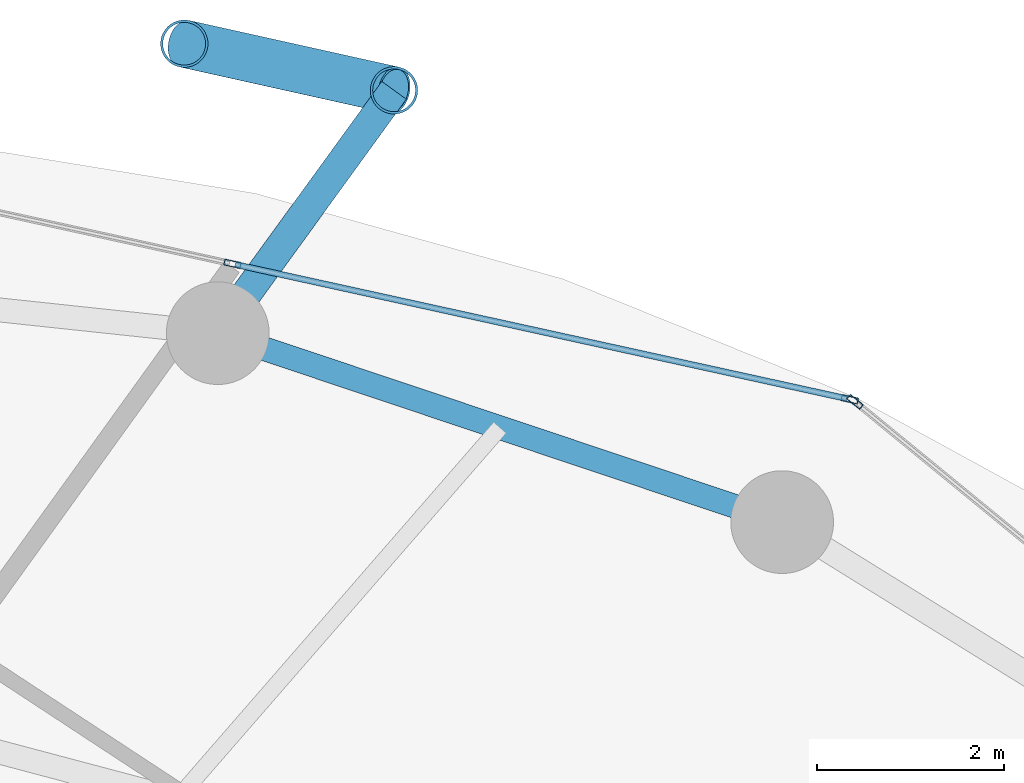
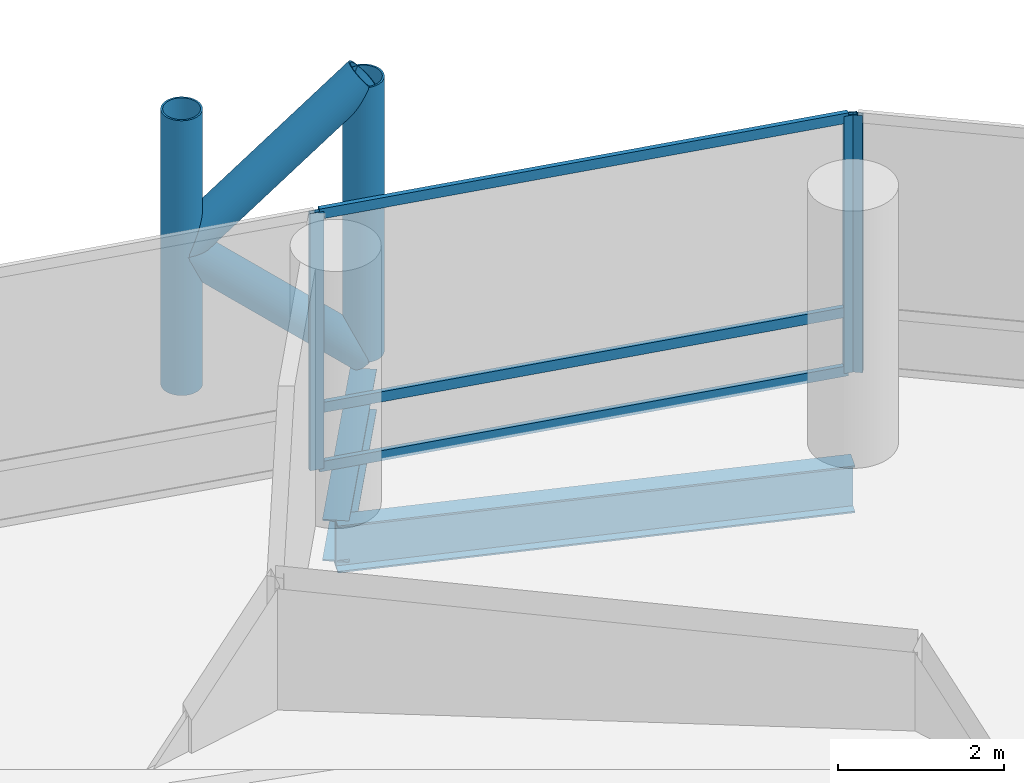
# One storey, part 18 of 24: 10 members, 2 beams, 2 elements without a shape of their own.
"""IFC4 building model written with IfcOpenShell, lengths in metres."""

import ifcopenshell
import ifcopenshell.guid

model = None  # the IFC model being written
_history = None  # IfcOwnerHistory: only IFC2X3 demands one
_inside = {}  # id of a spatial element -> (the spatial element, [elements in it])
_under = {}  # id of a project, library or spatial element -> (it, [spatial elements below it])
_declared = {}  # id of a project -> (the project, [libraries it declares])
_typed = {}  # id of a type object -> (the type object, [elements of that type])
_made_of = {}  # id of a material, layer set ... -> (it, [elements and type objects made of it])


def new_model(schema):
    """Start an empty IFC model of exactly this schema.

    Asked for "IFC4X3", IfcOpenShell would pick the latest addendum, in which some entities
    have other attributes; the version numbers below select the first issue.
    IFC2X3 requires an IfcOwnerHistory on every rooted entity: one is made here for all.
    """
    global model, _history
    if schema == "IFC4X3":
        model = ifcopenshell.file(schema_version=(4, 3, 0, 0))
    else:
        model = ifcopenshell.file(schema=schema)
    _inside.clear()
    _under.clear()
    _declared.clear()
    _typed.clear()
    _made_of.clear()
    _history = None
    if model.schema == "IFC2X3":
        org = make("IfcOrganization", Name="unknown")
        user = make(
            "IfcPersonAndOrganization",
            ThePerson=make("IfcPerson", FamilyName="unknown"),
            TheOrganization=org,
        )
        app = make(
            "IfcApplication",
            ApplicationDeveloper=org,
            Version="unknown",
            ApplicationFullName="unknown",
            ApplicationIdentifier="unknown",
        )
        _history = make(
            "IfcOwnerHistory",
            OwningUser=user,
            OwningApplication=app,
            ChangeAction="ADDED",
            CreationDate=0,
        )
    return model


def make(cls, **values):
    """One entity of the class cls with the attributes given. An attribute that is None is left unset."""
    return model.create_entity(
        cls, **{name: value for name, value in values.items() if value is not None}
    )


def rooted(cls, **values):
    """An entity with a GlobalId (a new one), such as an element, a storey or a relation."""
    return make(cls, GlobalId=ifcopenshell.guid.new(), OwnerHistory=_history, **values)


def si_unit(unit_type, name, prefix=None):
    """IfcSIUnit, for example si_unit("LENGTHUNIT", "METRE", prefix="MILLI")."""
    return make("IfcSIUnit", UnitType=unit_type, Prefix=prefix, Name=name)


def assignment(units):
    """IfcUnitAssignment: the units of a project."""
    return None if units is None else make("IfcUnitAssignment", Units=units)


def point(xyz):
    """IfcCartesianPoint."""
    return None if xyz is None else make("IfcCartesianPoint", Coordinates=xyz)


def direction(xyz):
    """IfcDirection."""
    return None if xyz is None else make("IfcDirection", DirectionRatios=xyz)


def frame(location, z_axis=None, x_axis=None):
    """IfcAxis2Placement3D, a coordinate frame: its origin and axes. An axis left out is left unset."""
    return make(
        "IfcAxis2Placement3D",
        Location=point(location),
        Axis=direction(z_axis),
        RefDirection=direction(x_axis),
    )


def frame_2d(location, x_axis=None):
    """IfcAxis2Placement2D, a coordinate frame in the plane: its origin and x axis."""
    return make(
        "IfcAxis2Placement2D", Location=point(location), RefDirection=direction(x_axis)
    )


def origin():
    """The frame at (0, 0, 0) with its axes left unset."""
    return frame((0.0, 0.0, 0.0))


def origin_2d():
    """The frame at (0, 0) in the plane with its x axis left unset."""
    return frame_2d((0.0, 0.0))


def place(relative_to, where):
    """IfcLocalPlacement: puts the frame where relative to a parent placement (None: the world)."""
    return make(
        "IfcLocalPlacement", PlacementRelTo=relative_to, RelativePlacement=where
    )


def context(
    kind, dimensions, precision=None, world=None, true_north=None, identifier=None
):
    """IfcGeometricRepresentationContext, for example the 3D "Model" context."""
    return make(
        "IfcGeometricRepresentationContext",
        ContextIdentifier=identifier,
        ContextType=kind,
        CoordinateSpaceDimension=dimensions,
        Precision=precision,
        WorldCoordinateSystem=world,
        TrueNorth=true_north,
    )


def subcontext(parent, identifier, kind, view, scale=None):
    """IfcGeometricRepresentationSubContext, for example "Body" below "Model"."""
    return make(
        "IfcGeometricRepresentationSubContext",
        ContextIdentifier=identifier,
        ContextType=kind,
        ParentContext=parent,
        TargetScale=scale,
        TargetView=view,
    )


def project(units=None, contexts=None):
    """IfcProject with its units and contexts."""
    return rooted(
        "IfcProject",
        Name="project",
        RepresentationContexts=contexts,
        UnitsInContext=assignment(units),
    )


def spatial(cls, under=None, at=None, **own):
    """A site, building, storey or space (cls), placed at a placement, below another one or the project."""
    s = rooted(cls, ObjectPlacement=at, **own)
    if under is not None:
        _under.setdefault(under.id(), (under, []))[1].append(s)
    return s


def profile(cls, at=None, kind="AREA", **sizes):
    """A parametric profile (cls). Its sizes go by their IFC names, for example OverallWidth=200.0."""
    return make(cls, ProfileType=kind, Position=at, **sizes)


def hollow_rectangle(**sizes):
    """IfcRectangleHollowProfileDef."""
    return profile("IfcRectangleHollowProfileDef", **sizes)


def hollow_circle(**sizes):
    """IfcCircleHollowProfileDef."""
    return profile("IfcCircleHollowProfileDef", **sizes)


def i_section(**sizes):
    """IfcIShapeProfileDef."""
    return profile("IfcIShapeProfileDef", **sizes)


def extrude(swept, where, along, depth):
    """IfcExtrudedAreaSolid: the profile swept, set in the frame where, extruded along a direction by depth."""
    return make(
        "IfcExtrudedAreaSolid",
        SweptArea=swept,
        Position=where,
        ExtrudedDirection=direction(along),
        Depth=depth,
    )


def shape(context_of_items, identifier, shape_type, items):
    """IfcShapeRepresentation: the items that make up one representation, for example the "Body"."""
    return make(
        "IfcShapeRepresentation",
        ContextOfItems=context_of_items,
        RepresentationIdentifier=identifier,
        RepresentationType=shape_type,
        Items=items,
    )


def material(Name=None, Category=None):
    """IfcMaterial."""
    return make("IfcMaterial", Name=Name, Category=Category)


def layer(
    of_material, thickness, ventilated=None, Name=None, Category=None, Priority=None
):
    """IfcMaterialLayer: one layer of a wall or slab, of a material (None: an air gap)."""
    return make(
        "IfcMaterialLayer",
        Material=of_material,
        LayerThickness=thickness,
        IsVentilated=ventilated,
        Name=Name,
        Category=Category,
        Priority=Priority,
    )


def layer_set(layers, Name=None):
    """IfcMaterialLayerSet."""
    return make("IfcMaterialLayerSet", MaterialLayers=layers, LayerSetName=Name)


def material_profile(
    of_material, cross_section, Name=None, Category=None, Priority=None
):
    """IfcMaterialProfile: a cross section and its material."""
    return make(
        "IfcMaterialProfile",
        Name=Name,
        Material=of_material,
        Profile=cross_section,
        Priority=Priority,
        Category=Category,
    )


def profile_set(profiles, Name=None, composite=None):
    """IfcMaterialProfileSet."""
    return make(
        "IfcMaterialProfileSet",
        Name=Name,
        MaterialProfiles=profiles,
        CompositeProfile=composite,
    )


def made_of(thing, what):
    """Note that an element or type object is made of a material, layer set ...; save() writes the relation."""
    if what is not None:
        _made_of.setdefault(what.id(), (what, []))[1].append(thing)
    return thing


def type_object(cls, material=None, **own):
    """A type object (cls), such as IfcWallType, which elements share."""
    return made_of(rooted(cls, **own), material)


def element(
    cls,
    number,
    at=None,
    inside=None,
    cuts=None,
    type_object=None,
    material=None,
    context=None,
    identifier="Body",
    shape_type=None,
    held_by="IfcProductDefinitionShape",
    body=None,
    shapes=None,
    **own,
):
    """One element of the class cls, such as IfcWall. Its Tag is "e" and its number.

    at: its placement. inside: the storey or other place that contains it. cuts: it is an
    opening in that element (IfcRelVoidsElement). A single representation is given by context,
    identifier, shape_type and body (its items); several are given by shapes. held_by: the class
    of the entity that holds the representations. save() writes the other relations.
    """
    e = rooted(cls, Tag="e%d" % number, ObjectPlacement=at, **own)
    if body is not None:
        shapes = [shape(context, identifier, shape_type, body)]
    if shapes is not None:
        e.Representation = make(held_by, Representations=shapes)
    if inside is not None:
        _inside.setdefault(inside.id(), (inside, []))[1].append(e)
    if cuts is not None:
        rooted(
            "IfcRelVoidsElement", RelatingBuildingElement=cuts, RelatedOpeningElement=e
        )
    if type_object is not None:
        _typed.setdefault(type_object.id(), (type_object, []))[1].append(e)
    return made_of(e, material)


def aggregate(whole, parts):
    """IfcRelAggregates: a whole, such as a stair, and the parts it consists of."""
    return rooted("IfcRelAggregates", RelatingObject=whole, RelatedObjects=parts)


def save(model, path):
    """Write the relations noted so far, then the file.

    IfcRelAggregates (storeys below a building ...), IfcRelContainedInSpatialStructure (elements
    in a storey), IfcRelDefinesByType, IfcRelAssociatesMaterial and IfcRelDeclares: one each for
    every whole, place, type object, material and project.
    """
    for whole, parts in _under.values():
        aggregate(whole, parts)
    for where, things in _inside.values():
        rooted(
            "IfcRelContainedInSpatialStructure",
            RelatedElements=things,
            RelatingStructure=where,
        )
    for kind, things in _typed.values():
        rooted("IfcRelDefinesByType", RelatedObjects=things, RelatingType=kind)
    for what, things in _made_of.values():
        rooted("IfcRelAssociatesMaterial", RelatedObjects=things, RelatingMaterial=what)
    for by, libraries in _declared.values():
        rooted("IfcRelDeclares", RelatingContext=by, RelatedDefinitions=libraries)
    model.write(path)


model = new_model("IFC4")

# Units and contexts
model_context = context("Model", 3, precision=1e-05, world=origin(), true_north=direction((0.0, 1.0)))
body_context = subcontext(model_context, "Body", "Model", "MODEL_VIEW")
ifc_project = project(units=[si_unit("LENGTHUNIT", "METRE"), si_unit("AREAUNIT", "SQUARE_METRE"), si_unit("VOLUMEUNIT", "CUBIC_METRE"), si_unit("PLANEANGLEUNIT", "RADIAN"), si_unit("MASSUNIT", "GRAM", prefix="KILO")], contexts=[model_context])

# Site, building, storey
site_placement = place(None, origin())
site = spatial("IfcSite", under=ifc_project, at=site_placement, CompositionType="ELEMENT")
building_placement = place(site_placement, origin())
building = spatial("IfcBuilding", under=site, at=building_placement, Name="Nuhasar Tower", CompositionType="ELEMENT")
storey_placement = place(building_placement, frame((0.0, 0.0, 29.10009765625)))
storey = spatial("IfcBuildingStorey", under=building, at=storey_placement, Name="L06", CompositionType="ELEMENT", Elevation=29.10009765625)

# Beams
ifc_material_1 = material(Name="Steel S355", Category="steel")
ifc_material_profile_1 = material_profile(ifc_material_1, i_section(OverallWidth=0.256103515625, OverallDepth=0.693115234375, WebThickness=0.014404296875, FlangeThickness=0.023681640625, at=origin_2d()), Name="W27X114")
ifc_profile_set_1 = profile_set([ifc_material_profile_1], Name="Steel S355")
beam_type_1 = type_object("IfcBeamType", Name="BM-RING-W27X114", PredefinedType="SPANDREL", material=ifc_profile_set_1)
beam_1_placement = place(storey_placement, frame((51.52490234375, 44.3369140625, -0.606201171875), z_axis=(-0.948249435708, 0.317526388949, 0.0), x_axis=(-0.317526388949, -0.948249435708, 0.0)))
element("IfcBeam", 1, at=beam_1_placement, inside=storey, type_object=beam_type_1, Name="L06 Perimeter Ring Spandrel 05", PredefinedType="SPANDREL", context=body_context, shape_type="SweptSolid", body=[
    extrude(i_section(OverallWidth=0.256103515625, OverallDepth=0.693115234375, WebThickness=0.014404296875, FlangeThickness=0.023681640625, at=origin_2d()), origin(), (0.0, 0.0, 1.0), 6.371826171875),
])
ifc_material_profile_2 = material_profile(ifc_material_1, i_section(OverallWidth=0.323974609375, OverallDepth=0.611083984375, WebThickness=0.0126953125, FlangeThickness=0.01904296875, at=origin_2d()), Name="W24X104")
ifc_profile_set_2 = profile_set([ifc_material_profile_2], Name="Steel S355")
beam_type_2 = type_object("IfcBeamType", Name="BM-TIE-W24X104", PredefinedType="BEAM", material=ifc_profile_set_2)
beam_2_placement = place(storey_placement, frame((45.48291015625, 46.360107421875, -0.565185546875), z_axis=(0.587439442414, 0.809268127073, 0.0), x_axis=(-0.809268127073, 0.587439442414, 0.0)))
element("IfcBeam", 2, at=beam_2_placement, inside=storey, type_object=beam_type_2, Name="L06 Exoskeleton Node Tie Beam 03", PredefinedType="BEAM", context=body_context, shape_type="SweptSolid", body=[
    extrude(i_section(OverallWidth=0.323974609375, OverallDepth=0.611083984375, WebThickness=0.0126953125, FlangeThickness=0.01904296875, at=origin_2d()), origin(), (0.0, 0.0, 1.0), 3.212646484375),
])

# Curtain wall, member
ifc_material_2 = material(Name="Aluminium 6063-T6", Category="aluminium")
ifc_layer = layer(ifc_material_2, 0.199951171875)
ifc_layer_set = layer_set([ifc_layer], Name="Aluminium 6063-T6")
curtain_wall_type = type_object("IfcCurtainWallType", Name="CW-Z1-OFF", PredefinedType="NOTDEFINED", material=ifc_layer_set)
curtain_wall_1_placement = place(storey_placement, origin())
curtain_wall_1 = element("IfcCurtainWall", 3, at=curtain_wall_1_placement, inside=storey, type_object=curtain_wall_type, Name="L06 Unitised Curtain Wall 02", PredefinedType="NOTDEFINED")
ifc_material_profile_3 = material_profile(ifc_material_2, hollow_rectangle(XDim=0.06494140625, YDim=0.179931640625, WallThickness=0.0048828125, at=origin_2d()), Name="CWM-2")
ifc_profile_set_3 = profile_set([ifc_material_profile_3], Name="Aluminium 6063-T6")
member_type_1 = type_object("IfcMemberType", Name="CW-MUL-S2", PredefinedType="MULLION", material=ifc_profile_set_3)
member_1_placement = place(storey_placement, frame((52.30517578125, 45.62451171875, 0.0), z_axis=(0.0, 0.0, 1.0), x_axis=(-0.633744593376, -0.773542364946, 0.0)))
member_1 = element("IfcMember", 4, at=member_1_placement, type_object=member_type_1, Name="CW-Z1 mullion 2", PredefinedType="MULLION", context=body_context, shape_type="SweptSolid", body=[
    extrude(hollow_rectangle(XDim=0.06494140625, YDim=0.179931640625, WallThickness=0.0048828125, at=origin_2d()), origin(), (0.0, 0.0, 1.0), 3.789794921875),
])
aggregate(curtain_wall_1, [member_1])

# Curtain wall, members
curtain_wall_2_placement = place(storey_placement, origin())
curtain_wall_2 = element("IfcCurtainWall", 5, at=curtain_wall_2_placement, inside=storey, type_object=curtain_wall_type, Name="L06 Unitised Curtain Wall 03", PredefinedType="NOTDEFINED")
member_2_placement = place(storey_placement, frame((52.248291015625, 45.65185546875, 0.0), z_axis=(0.0, 0.0, 1.0), x_axis=(-0.214398737637, -0.976746221544, 0.0)))
member_2 = element("IfcMember", 6, at=member_2_placement, type_object=member_type_1, Name="CW-Z1 mullion 1", PredefinedType="MULLION", context=body_context, shape_type="SweptSolid", body=[
    extrude(hollow_rectangle(XDim=0.06494140625, YDim=0.179931640625, WallThickness=0.0048828125, at=origin_2d()), origin(), (0.0, 0.0, 1.0), 3.789794921875),
])
member_3_placement = place(storey_placement, frame((45.639892578125, 47.1025390625, 0.0), z_axis=(0.0, 0.0, 1.0), x_axis=(-0.214398737637, -0.976746221544, 0.0)))
member_3 = element("IfcMember", 7, at=member_3_placement, type_object=member_type_1, Name="CW-Z1 mullion 2", PredefinedType="MULLION", context=body_context, shape_type="SweptSolid", body=[
    extrude(hollow_rectangle(XDim=0.06494140625, YDim=0.179931640625, WallThickness=0.0048828125, at=origin_2d()), origin(), (0.0, 0.0, 1.0), 3.789794921875),
])
ifc_material_profile_4 = material_profile(ifc_material_2, hollow_rectangle(XDim=0.06494140625, YDim=0.14990234375, WallThickness=0.00439453125, at=origin_2d()), Name="CWT-2")
ifc_profile_set_4 = profile_set([ifc_material_profile_4], Name="Aluminium 6063-T6")
member_type_2 = type_object("IfcMemberType", Name="CW-TRN-S2", PredefinedType="USERDEFINED", material=ifc_profile_set_4)
member_4_placement = place(storey_placement, frame((52.216552734375, 45.658935546875, 0.032470703125), z_axis=(-0.976749553792, 0.214383556196, 0.0), x_axis=(-0.214383556196, -0.976749553792, 0.0)))
member_4 = element("IfcMember", 8, at=member_4_placement, type_object=member_type_2, Name="CW-Z1 transom 1.1", ObjectType="TRANSOM", PredefinedType="USERDEFINED", context=body_context, shape_type="SweptSolid", body=[
    extrude(hollow_rectangle(XDim=0.06494140625, YDim=0.14990234375, WallThickness=0.00439453125, at=origin_2d()), origin(), (0.0, 0.0, 1.0), 6.70068359375),
])
member_5_placement = place(storey_placement, frame((52.216552734375, 45.658935546875, 0.89990234375), z_axis=(-0.976749553792, 0.214383556196, 0.0), x_axis=(-0.214383556196, -0.976749553792, 0.0)))
member_5 = element("IfcMember", 9, at=member_5_placement, type_object=member_type_2, Name="CW-Z1 transom 1.2", ObjectType="TRANSOM", PredefinedType="USERDEFINED", context=body_context, shape_type="SweptSolid", body=[
    extrude(hollow_rectangle(XDim=0.06494140625, YDim=0.14990234375, WallThickness=0.00439453125, at=origin_2d()), origin(), (0.0, 0.0, 1.0), 6.70068359375),
])
member_6_placement = place(storey_placement, frame((52.216552734375, 45.658935546875, 3.75732421875), z_axis=(-0.976749553792, 0.214383556196, 0.0), x_axis=(-0.214383556196, -0.976749553792, 0.0)))
member_6 = element("IfcMember", 10, at=member_6_placement, type_object=member_type_2, Name="CW-Z1 transom 1.3", ObjectType="TRANSOM", PredefinedType="USERDEFINED", context=body_context, shape_type="SweptSolid", body=[
    extrude(hollow_rectangle(XDim=0.06494140625, YDim=0.14990234375, WallThickness=0.00439453125, at=origin_2d()), origin(), (0.0, 0.0, 1.0), 6.70068359375),
])
aggregate(curtain_wall_2, [member_2, member_3, member_4, member_5, member_6])

# Members
ifc_material_3 = material(Name="Steel S460", Category="steel")
ifc_material_profile_5 = material_profile(ifc_material_3, hollow_circle(Radius=0.25390625, WallThickness=0.025390625, at=origin_2d()), Name="HSS508X25.4")
ifc_profile_set_5 = profile_set([ifc_material_profile_5], Name="Steel S460")
member_type_3 = type_object("IfcMemberType", Name="EXO-BRONZE-508", PredefinedType="BRACE", material=ifc_profile_set_5)
for number, where, z_axis, x_axis, name in (
    (11, (47.3701171875, 48.9599609375, 0.0), (0.0, 0.0, 1.0), (1.0, 0.0, 0.0), "L06 Exoskeleton Chord Column EC-03A"),
    (12, (45.1240234375, 49.458984375, 0.0), (0.0, 0.0, 1.0), (1.0, 0.0, 0.0), "L06 Exoskeleton Chord Column EC-03B"),
):
    element("IfcMember", number, at=place(storey_placement, frame(where, z_axis=z_axis, x_axis=x_axis)), inside=storey, type_object=member_type_3, Name=name, PredefinedType="BRACE", context=body_context, shape_type="SweptSolid", body=[
        extrude(hollow_circle(Radius=0.25390625, WallThickness=0.025390625, at=origin_2d()), origin(), (0.0, 0.0, 1.0), 4.0498046875),
    ])
for number, where, z_axis, x_axis, name in (
    (13, (47.3701171875, 48.9599609375, 0.0), (-0.732821471909, 0.162813813976, 0.660654487828), (-0.216885517571, -0.97619704582, 0.0), "L06 Bronze Diagrid Brace W1-03"),
    (14, (45.1240234375, 49.458984375, 2.02490234375), (0.732821471909, -0.162813813976, 0.660654487828), (0.216885517571, 0.97619704582, 0.0), "L06 Bronze Diagrid Brace W2-03"),
):
    element("IfcMember", number, at=place(storey_placement, frame(where, z_axis=z_axis, x_axis=x_axis)), inside=storey, type_object=member_type_3, Name=name, PredefinedType="BRACE", context=body_context, shape_type="SweptSolid", body=[
        extrude(hollow_circle(Radius=0.25390625, WallThickness=0.025390625, at=origin_2d()), origin(), (0.0, 0.0, 1.0), 3.06494140625),
    ])

save(model, "model.ifc")
